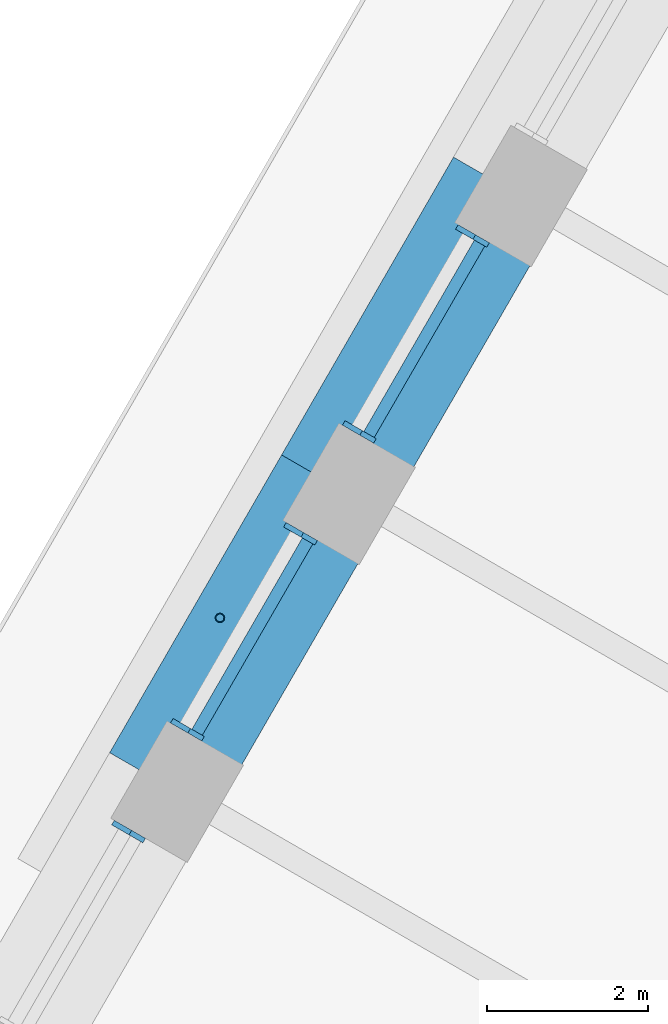
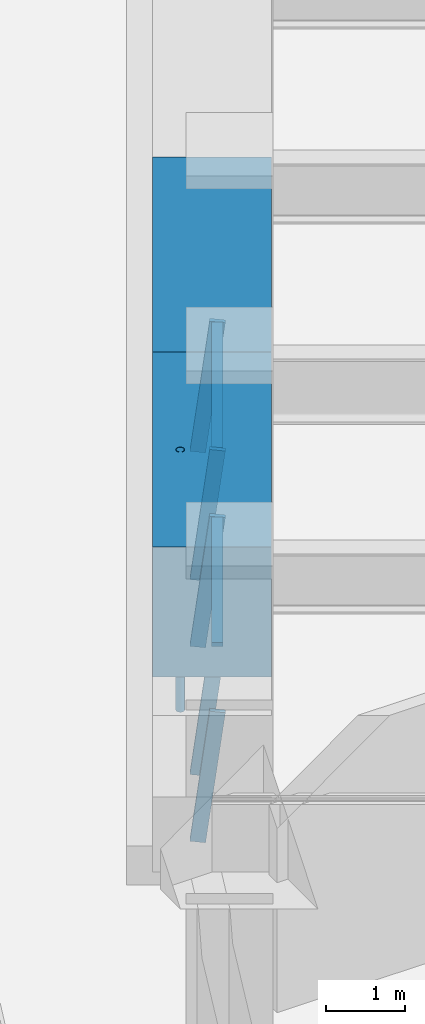
# One storey, part 6 of 18: 8 members, 2 beams, 3 elements without a shape of their own.
"""IFC4 building model written with IfcOpenShell, lengths in metres."""

from ifc_helpers import new_model, si_unit, direction, frame, origin, origin_2d, place, context, subcontext, project, spatial, rectangle, hollow_circle, extrude, material, material_profile, profile_set, type_object, element, aggregate, save


model = new_model("IFC4")

# Units and contexts
model_context = context("Model", 3, precision=1e-05, world=origin(), true_north=direction((0.0, 1.0)))
body_context = subcontext(model_context, "Body", "Model", "MODEL_VIEW")
ifc_project = project(units=[si_unit("LENGTHUNIT", "METRE"), si_unit("AREAUNIT", "SQUARE_METRE"), si_unit("VOLUMEUNIT", "CUBIC_METRE"), si_unit("PLANEANGLEUNIT", "RADIAN"), si_unit("MASSUNIT", "GRAM", prefix="KILO")], contexts=[model_context])

# Site, building, storey
site_placement = place(None, origin())
site = spatial("IfcSite", under=ifc_project, at=site_placement, CompositionType="ELEMENT")
building_placement = place(site_placement, origin())
building = spatial("IfcBuilding", under=site, at=building_placement, Name="Tarfa Lantern Tower", CompositionType="ELEMENT")
storey_placement = place(building_placement, frame((0.0, 0.0, 319.89990234375)))
storey = spatial("IfcBuildingStorey", under=building, at=storey_placement, Name="L72", CompositionType="ELEMENT", Elevation=319.89990234375)

# Curtain wall, members
ifc_material_1 = material(Name="Aluminium framed curtain wall", Category="aluminium")
curtain_wall_type = type_object("IfcCurtainWallType", Name="CW4 CANTED GLAZING EXECUTIVE ZONE 2000", PredefinedType="USERDEFINED", material=ifc_material_1)
curtain_wall_1_placement = place(storey_placement, origin())
curtain_wall_1 = element("IfcCurtainWall", 1, at=curtain_wall_1_placement, inside=storey, type_object=curtain_wall_type, Name="CW4 NW L72", ObjectType="CURTAIN WALL", PredefinedType="USERDEFINED")
ifc_material_2 = material(Name="Aluminium mullion", Category="aluminium")
ifc_material_profile_1 = material_profile(ifc_material_2, rectangle(XDim=0.06494140625, YDim=0.199951171875, at=origin_2d()), Name="AL MULLION 65x200")
ifc_profile_set_1 = profile_set([ifc_material_profile_1], Name="Aluminium mullion")
member_type_1 = type_object("IfcMemberType", Name="CWM1 MULLION 65x200", PredefinedType="MULLION", material=ifc_profile_set_1)
member_1_placement = place(storey_placement, frame((-23.44580078125, 12.690673828125, 0.0), z_axis=(0.107439978116, -0.062017213975, 0.992275423596), x_axis=(0.499919672301, 0.866071776036, 0.0)))
member_1 = element("IfcMember", 2, at=member_1_placement, type_object=member_type_1, Name="CW4 mullion 1", PredefinedType="MULLION", context=body_context, shape_type="SweptSolid", body=[
    extrude(rectangle(XDim=0.06494140625, YDim=0.199951171875, at=origin_2d()), origin(), (0.0, 0.0, 1.0), 2.015625),
])
member_2_placement = place(storey_placement, frame((-24.854248046875, 10.2509765625, 0.0), z_axis=(0.107320246625, -0.062018020623, 0.992288329964), x_axis=(0.500342721131, 0.865827443207, 0.0)))
member_2 = element("IfcMember", 3, at=member_2_placement, type_object=member_type_1, Name="CW4 mullion 2", PredefinedType="MULLION", context=body_context, shape_type="SweptSolid", body=[
    extrude(rectangle(XDim=0.06494140625, YDim=0.199951171875, at=origin_2d()), origin(), (0.0, 0.0, 1.0), 2.015625),
])

curtain_wall_2_placement = place(storey_placement, origin())
curtain_wall_2 = element("IfcCurtainWall", 4, at=curtain_wall_2_placement, inside=storey, type_object=curtain_wall_type, Name="CW4 NW L72", ObjectType="CURTAIN WALL", PredefinedType="USERDEFINED")
member_3_placement = place(storey_placement, frame((-25.5869140625, 8.982421875, 0.0), z_axis=(0.107439978116, -0.062017213975, 0.992275423596), x_axis=(0.499919672301, 0.866071776036, 0.0)))
member_3 = element("IfcMember", 5, at=member_3_placement, type_object=member_type_1, Name="CW4 mullion 1", PredefinedType="MULLION", context=body_context, shape_type="SweptSolid", body=[
    extrude(rectangle(XDim=0.06494140625, YDim=0.199951171875, at=origin_2d()), origin(), (0.0, 0.0, 1.0), 2.015625),
])
member_4_placement = place(storey_placement, frame((-26.995361328125, 6.542724609375, 0.0), z_axis=(0.107439978116, -0.062017213975, 0.992275423596), x_axis=(0.499919672301, 0.866071776036, 0.0)))
member_4 = element("IfcMember", 6, at=member_4_placement, type_object=member_type_1, Name="CW4 mullion 2", PredefinedType="MULLION", context=body_context, shape_type="SweptSolid", body=[
    extrude(rectangle(XDim=0.06494140625, YDim=0.199951171875, at=origin_2d()), origin(), (0.0, 0.0, 1.0), 2.015625),
])

# Curtain wall, member
curtain_wall_3_placement = place(storey_placement, origin())
curtain_wall_3 = element("IfcCurtainWall", 7, at=curtain_wall_3_placement, inside=storey, type_object=curtain_wall_type, Name="CW4 NW L72", ObjectType="CURTAIN WALL", PredefinedType="USERDEFINED")
member_5_placement = place(storey_placement, frame((-27.727783203125, 5.27392578125, 0.0), z_axis=(0.107439978116, -0.062017213975, 0.992275423596), x_axis=(0.499919672301, 0.866071776036, 0.0)))
member_5 = element("IfcMember", 8, at=member_5_placement, type_object=member_type_1, Name="CW4 mullion 1", PredefinedType="MULLION", context=body_context, shape_type="SweptSolid", body=[
    extrude(rectangle(XDim=0.06494140625, YDim=0.199951171875, at=origin_2d()), origin(), (0.0, 0.0, 1.0), 2.015625),
])
aggregate(curtain_wall_3, [member_5])

# Member
ifc_material_3 = material(Name="Aluminium transom", Category="aluminium")
ifc_material_profile_2 = material_profile(ifc_material_3, rectangle(XDim=0.14990234375, YDim=0.06494140625, at=origin_2d()), Name="AL TRANSOM 150x65")
ifc_profile_set_2 = profile_set([ifc_material_profile_2], Name="Aluminium transom")
member_type_2 = type_object("IfcMemberType", Name="CWT1 TRANSOM 150x65", PredefinedType="USERDEFINED", material=ifc_profile_set_2)
member_6_placement = place(storey_placement, frame((-23.2490234375, 12.53955078125, 1.967529296875), z_axis=(-0.499993790352, -0.866028988896, 0.0), x_axis=(0.866028988896, -0.499993790352, 0.0)))
member_6 = element("IfcMember", 9, at=member_6_placement, type_object=member_type_2, Name="CW4 transom 1.2", ObjectType="TRANSOM", PredefinedType="USERDEFINED", context=body_context, shape_type="SweptSolid", body=[
    extrude(rectangle(XDim=0.14990234375, YDim=0.06494140625, at=origin_2d()), origin(), (0.0, 0.0, 1.0), 2.751953125),
])

aggregate(curtain_wall_1, [member_1, member_2, member_6])

member_7_placement = place(storey_placement, frame((-25.39013671875, 8.831298828125, 1.967529296875), z_axis=(-0.499955378711, -0.866051164365, 0.0), x_axis=(0.866051164365, -0.499955378711, 0.0)))
member_7 = element("IfcMember", 10, at=member_7_placement, type_object=member_type_2, Name="CW4 transom 1.2", ObjectType="TRANSOM", PredefinedType="USERDEFINED", context=body_context, shape_type="SweptSolid", body=[
    extrude(rectangle(XDim=0.14990234375, YDim=0.06494140625, at=origin_2d()), origin(), (0.0, 0.0, 1.0), 2.752197265625),
])

aggregate(curtain_wall_2, [member_3, member_4, member_7])

# Beams
ifc_material_4 = material(Name="Concrete C80/95", Category="concrete")
ifc_material_profile_3 = material_profile(ifc_material_4, rectangle(XDim=1.5, YDim=2.0, at=origin_2d()), Name="RC 1500x2000")
ifc_profile_set_3 = profile_set([ifc_material_profile_3], Name="Concrete C80/95")
beam_type = type_object("IfcBeamType", Name="RB3 RC 1500x2000", PredefinedType="BEAM", material=ifc_profile_set_3)
beam_1_placement = place(storey_placement, frame((-22.923583984375, 13.235107421875, 3.0), z_axis=(-0.500002112793, -0.866024183959, 0.0), x_axis=(0.866024183959, -0.500002112793, 0.0)))
element("IfcBeam", 11, at=beam_1_placement, inside=storey, type_object=beam_type, Name="Edge beam NW3", PredefinedType="BEAM", context=body_context, shape_type="SweptSolid", body=[
    extrude(rectangle(XDim=1.5, YDim=2.0, at=origin_2d()), origin(), (0.0, 0.0, 1.0), 4.2822265625),
])
beam_2_placement = place(storey_placement, frame((-25.064697265625, 9.526611328125, 3.0), z_axis=(-0.500026801138, -0.866009929587, 0.0), x_axis=(0.866009929587, -0.500026801138, 0.0)))
element("IfcBeam", 12, at=beam_2_placement, inside=storey, type_object=beam_type, Name="Edge beam NW4", PredefinedType="BEAM", context=body_context, shape_type="SweptSolid", body=[
    extrude(rectangle(XDim=1.5, YDim=2.0, at=origin_2d()), origin(), (0.0, 0.0, 1.0), 4.281982421875),
])

# Member
ifc_material_5 = material(Name="Steel S355", Category="steel")
ifc_material_profile_4 = material_profile(ifc_material_5, hollow_circle(Radius=0.05712890625, WallThickness=0.00634765625, at=origin_2d()), Name="CHS114.3x6.3")
ifc_profile_set_4 = profile_set([ifc_material_profile_4], Name="Steel S355")
member_type_3 = type_object("IfcMemberType", Name="TR1 GREEN WALL TRELLIS CHS114.3x6.3", PredefinedType="USERDEFINED", material=ifc_profile_set_4)
member_8_placement = place(storey_placement, frame((-26.481689453125, 7.87255859375, 0.0), z_axis=(0.0, 0.0, 1.0), x_axis=(1.0, 0.0, 0.0)))
element("IfcMember", 13, at=member_8_placement, inside=storey, type_object=member_type_3, Name="Trellis post NW 2", ObjectType="TRELLIS", PredefinedType="USERDEFINED", context=body_context, shape_type="SweptSolid", body=[
    extrude(hollow_circle(Radius=0.05712890625, WallThickness=0.00634765625, at=origin_2d()), origin(), (0.0, 0.0, 1.0), 4.0),
])

save(model, "model.ifc")
